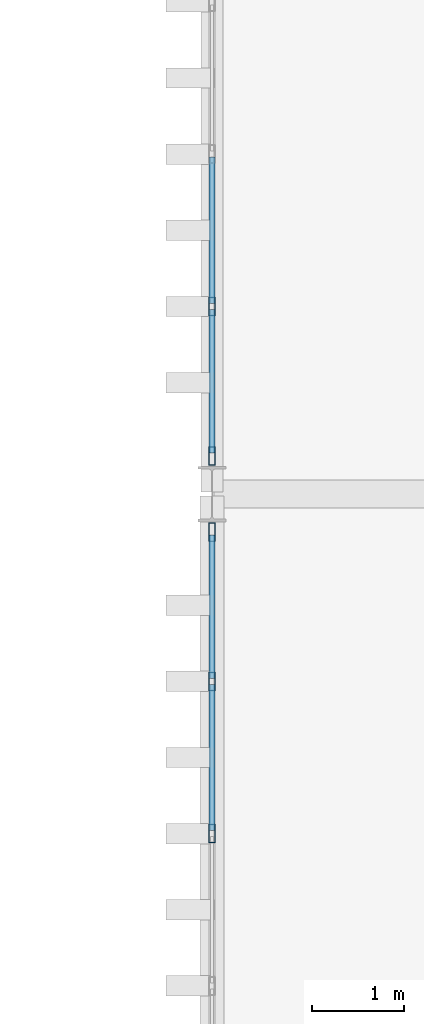
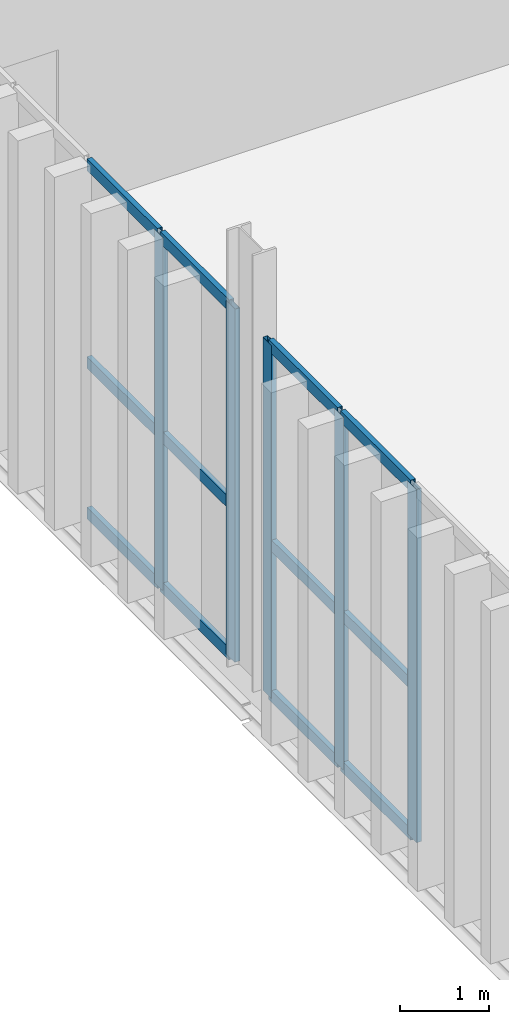
# One storey, part 84 of 237: 17 members, 2 elements without a shape of their own.
"""IFC4 building model written with IfcOpenShell, lengths in metres."""

from ifc_helpers import new_model, si_unit, direction, frame, origin, origin_2d, place, context, subcontext, project, spatial, hollow_rectangle, extrude, material, layer, layer_set, material_profile, profile_set, type_object, element, aggregate, save


model = new_model("IFC4")

# Units and contexts
model_context = context("Model", 3, precision=1e-05, world=origin(), true_north=direction((0.0, 1.0)))
body_context = subcontext(model_context, "Body", "Model", "MODEL_VIEW")
ifc_project = project(units=[si_unit("LENGTHUNIT", "METRE"), si_unit("AREAUNIT", "SQUARE_METRE"), si_unit("VOLUMEUNIT", "CUBIC_METRE"), si_unit("PLANEANGLEUNIT", "RADIAN"), si_unit("MASSUNIT", "GRAM", prefix="KILO")], contexts=[model_context])

# Site, building, storey
site_placement = place(None, origin())
site = spatial("IfcSite", under=ifc_project, at=site_placement, CompositionType="ELEMENT")
building_placement = place(site_placement, origin())
building = spatial("IfcBuilding", under=site, at=building_placement, Name="Barlavento Convention Centre", CompositionType="ELEMENT")
storey_placement = place(building_placement, frame((0.0, 0.0, 12.0)))
storey = spatial("IfcBuildingStorey", under=building, at=storey_placement, Name="L02", CompositionType="ELEMENT", Elevation=12.0)

# Curtain wall, members
ifc_material_1 = material(Name="Powder-coated aluminium and Low-E glass", Category="aluminium")
ifc_layer = layer(ifc_material_1, 0.195068359375)
ifc_layer_set = layer_set([ifc_layer], Name="ARC-CW-BALL-L02")
curtain_wall_type = type_object("IfcCurtainWallType", Name="ARC-CW-BALL-L02", PredefinedType="NOTDEFINED", material=ifc_layer_set)
curtain_wall_1_placement = place(storey_placement, origin())
curtain_wall_1 = element("IfcCurtainWall", 1, at=curtain_wall_1_placement, inside=storey, type_object=curtain_wall_type, Name="L02 unitised curtain wall CW07", PredefinedType="NOTDEFINED")
ifc_material_2 = material(Name="Powder-coated aluminium", Category="aluminium")
ifc_material_profile_1 = material_profile(ifc_material_2, hollow_rectangle(XDim=0.06494140625, YDim=0.199951171875, WallThickness=0.0048828125, at=origin_2d()), Name="AL-MULL 65x200x5")
ifc_profile_set_1 = profile_set([ifc_material_profile_1], Name="Powder-coated aluminium")
member_type_1 = type_object("IfcMemberType", Name="ARC-CWM-65X200", PredefinedType="MULLION", material=ifc_profile_set_1)
member_1_placement = place(storey_placement, frame((126.0, 32.327880859375, 0.0), z_axis=(0.0, 0.0, 1.0), x_axis=(-1.0, 0.0, 0.0)))
member_1 = element("IfcMember", 2, at=member_1_placement, type_object=member_type_1, Name="CW07 mullion 4", PredefinedType="MULLION", context=body_context, shape_type="SweptSolid", body=[
    extrude(hollow_rectangle(XDim=0.06494140625, YDim=0.199951171875, WallThickness=0.0048828125, at=origin_2d()), origin(), (0.0, 0.0, 1.0), 4.85009765625),
])
member_2_placement = place(storey_placement, frame((126.0, 33.97412109375, 0.0), z_axis=(0.0, 0.0, 1.0), x_axis=(-1.0, 0.0, 0.0)))
member_2 = element("IfcMember", 3, at=member_2_placement, type_object=member_type_1, Name="CW07 mullion 5", PredefinedType="MULLION", context=body_context, shape_type="SweptSolid", body=[
    extrude(hollow_rectangle(XDim=0.06494140625, YDim=0.199951171875, WallThickness=0.0048828125, at=origin_2d()), origin(), (0.0, 0.0, 1.0), 4.85009765625),
])
member_3_placement = place(storey_placement, frame((126.0, 35.58740234375, 0.0), z_axis=(0.0, 0.0, 1.0), x_axis=(-1.0, 0.0, 0.0)))
member_3 = element("IfcMember", 4, at=member_3_placement, type_object=member_type_1, Name="CW07 mullion 6", PredefinedType="MULLION", context=body_context, shape_type="SweptSolid", body=[
    extrude(hollow_rectangle(XDim=0.06494140625, YDim=0.199951171875, WallThickness=0.0048828125, at=origin_2d()), origin(), (0.0, 0.0, 1.0), 4.85009765625),
])

curtain_wall_2_placement = place(storey_placement, origin())
curtain_wall_2 = element("IfcCurtainWall", 5, at=curtain_wall_2_placement, inside=storey, type_object=curtain_wall_type, Name="L02 unitised curtain wall CW07", PredefinedType="NOTDEFINED")
member_4_placement = place(storey_placement, frame((126.0, 36.41259765625, 0.0), z_axis=(0.0, 0.0, 1.0), x_axis=(-1.0, 0.0, 0.0)))
member_4 = element("IfcMember", 6, at=member_4_placement, type_object=member_type_1, Name="CW07 mullion 1", PredefinedType="MULLION", context=body_context, shape_type="SweptSolid", body=[
    extrude(hollow_rectangle(XDim=0.06494140625, YDim=0.199951171875, WallThickness=0.0048828125, at=origin_2d()), origin(), (0.0, 0.0, 1.0), 4.85009765625),
])
member_5_placement = place(storey_placement, frame((126.0, 38.028076171875, 0.0), z_axis=(0.0, 0.0, 1.0), x_axis=(-1.0, 0.0, 0.0)))
member_5 = element("IfcMember", 7, at=member_5_placement, type_object=member_type_1, Name="CW07 mullion 2", PredefinedType="MULLION", context=body_context, shape_type="SweptSolid", body=[
    extrude(hollow_rectangle(XDim=0.06494140625, YDim=0.199951171875, WallThickness=0.0048828125, at=origin_2d()), origin(), (0.0, 0.0, 1.0), 4.85009765625),
])

# Member
ifc_material_profile_2 = material_profile(ifc_material_2, hollow_rectangle(XDim=0.06494140625, YDim=0.159912109375, WallThickness=0.0048828125, at=origin_2d()), Name="AL-TRAN 65x160x5")
ifc_profile_set_2 = profile_set([ifc_material_profile_2], Name="Powder-coated aluminium")
member_type_2 = type_object("IfcMemberType", Name="ARC-CWT-65X160", PredefinedType="USERDEFINED", material=ifc_profile_set_2)
member_6_placement = place(storey_placement, frame((126.0, 32.360595703125, 0.032470703125), z_axis=(0.0, 1.0, 0.0), x_axis=(-1.0, 0.0, 0.0)))
member_6 = element("IfcMember", 8, at=member_6_placement, type_object=member_type_2, Name="CW07 transom 4.1", ObjectType="TRANSOM", PredefinedType="USERDEFINED", context=body_context, shape_type="SweptSolid", body=[
    extrude(hollow_rectangle(XDim=0.06494140625, YDim=0.159912109375, WallThickness=0.0048828125, at=origin_2d()), origin(), (0.0, 0.0, 1.0), 1.580810546875),
])

member_7_placement = place(storey_placement, frame((126.0, 32.360595703125, 2.10009765625), z_axis=(0.0, 1.0, 0.0), x_axis=(-1.0, 0.0, 0.0)))
member_7 = element("IfcMember", 9, at=member_7_placement, type_object=member_type_2, Name="CW07 transom 4.2", ObjectType="TRANSOM", PredefinedType="USERDEFINED", context=body_context, shape_type="SweptSolid", body=[
    extrude(hollow_rectangle(XDim=0.06494140625, YDim=0.159912109375, WallThickness=0.0048828125, at=origin_2d()), origin(), (0.0, 0.0, 1.0), 1.580810546875),
])

member_8_placement = place(storey_placement, frame((126.0, 32.360595703125, 4.8173828125), z_axis=(0.0, 1.0, 0.0), x_axis=(-1.0, 0.0, 0.0)))
member_8 = element("IfcMember", 10, at=member_8_placement, type_object=member_type_2, Name="CW07 transom 4.3", ObjectType="TRANSOM", PredefinedType="USERDEFINED", context=body_context, shape_type="SweptSolid", body=[
    extrude(hollow_rectangle(XDim=0.06494140625, YDim=0.159912109375, WallThickness=0.0048828125, at=origin_2d()), origin(), (0.0, 0.0, 1.0), 1.580810546875),
])

member_9_placement = place(storey_placement, frame((126.0, 34.006591796875, 0.032470703125), z_axis=(0.0, 1.0, 0.0), x_axis=(-1.0, 0.0, 0.0)))
member_9 = element("IfcMember", 11, at=member_9_placement, type_object=member_type_2, Name="CW07 transom 5.1", ObjectType="TRANSOM", PredefinedType="USERDEFINED", context=body_context, shape_type="SweptSolid", body=[
    extrude(hollow_rectangle(XDim=0.06494140625, YDim=0.159912109375, WallThickness=0.0048828125, at=origin_2d()), origin(), (0.0, 0.0, 1.0), 1.54833984375),
])

member_10_placement = place(storey_placement, frame((126.0, 34.006591796875, 2.10009765625), z_axis=(0.0, 1.0, 0.0), x_axis=(-1.0, 0.0, 0.0)))
member_10 = element("IfcMember", 12, at=member_10_placement, type_object=member_type_2, Name="CW07 transom 5.2", ObjectType="TRANSOM", PredefinedType="USERDEFINED", context=body_context, shape_type="SweptSolid", body=[
    extrude(hollow_rectangle(XDim=0.06494140625, YDim=0.159912109375, WallThickness=0.0048828125, at=origin_2d()), origin(), (0.0, 0.0, 1.0), 1.54833984375),
])

member_11_placement = place(storey_placement, frame((126.0, 34.006591796875, 4.8173828125), z_axis=(0.0, 1.0, 0.0), x_axis=(-1.0, 0.0, 0.0)))
member_11 = element("IfcMember", 13, at=member_11_placement, type_object=member_type_2, Name="CW07 transom 5.3", ObjectType="TRANSOM", PredefinedType="USERDEFINED", context=body_context, shape_type="SweptSolid", body=[
    extrude(hollow_rectangle(XDim=0.06494140625, YDim=0.159912109375, WallThickness=0.0048828125, at=origin_2d()), origin(), (0.0, 0.0, 1.0), 1.54833984375),
])

aggregate(curtain_wall_1, [member_1, member_2, member_3, member_6, member_7, member_8, member_9, member_10, member_11])

member_12_placement = place(storey_placement, frame((126.0, 36.445068359375, 0.032470703125), z_axis=(0.0, 1.0, 0.0), x_axis=(-1.0, 0.0, 0.0)))
member_12 = element("IfcMember", 14, at=member_12_placement, type_object=member_type_2, Name="CW07 transom 1.1", ObjectType="TRANSOM", PredefinedType="USERDEFINED", context=body_context, shape_type="SweptSolid", body=[
    extrude(hollow_rectangle(XDim=0.06494140625, YDim=0.159912109375, WallThickness=0.0048828125, at=origin_2d()), origin(), (0.0, 0.0, 1.0), 1.550537109375),
])

member_13_placement = place(storey_placement, frame((126.0, 36.445068359375, 2.10009765625), z_axis=(0.0, 1.0, 0.0), x_axis=(-1.0, 0.0, 0.0)))
member_13 = element("IfcMember", 15, at=member_13_placement, type_object=member_type_2, Name="CW07 transom 1.2", ObjectType="TRANSOM", PredefinedType="USERDEFINED", context=body_context, shape_type="SweptSolid", body=[
    extrude(hollow_rectangle(XDim=0.06494140625, YDim=0.159912109375, WallThickness=0.0048828125, at=origin_2d()), origin(), (0.0, 0.0, 1.0), 1.550537109375),
])

member_14_placement = place(storey_placement, frame((126.0, 36.445068359375, 4.8173828125), z_axis=(0.0, 1.0, 0.0), x_axis=(-1.0, 0.0, 0.0)))
member_14 = element("IfcMember", 16, at=member_14_placement, type_object=member_type_2, Name="CW07 transom 1.3", ObjectType="TRANSOM", PredefinedType="USERDEFINED", context=body_context, shape_type="SweptSolid", body=[
    extrude(hollow_rectangle(XDim=0.06494140625, YDim=0.159912109375, WallThickness=0.0048828125, at=origin_2d()), origin(), (0.0, 0.0, 1.0), 1.550537109375),
])

member_15_placement = place(storey_placement, frame((126.0, 38.060546875, 0.032470703125), z_axis=(0.0, 1.0, 0.0), x_axis=(-1.0, 0.0, 0.0)))
member_15 = element("IfcMember", 17, at=member_15_placement, type_object=member_type_2, Name="CW07 transom 2.1", ObjectType="TRANSOM", PredefinedType="USERDEFINED", context=body_context, shape_type="SweptSolid", body=[
    extrude(hollow_rectangle(XDim=0.06494140625, YDim=0.159912109375, WallThickness=0.0048828125, at=origin_2d()), origin(), (0.0, 0.0, 1.0), 1.5830078125),
])

member_16_placement = place(storey_placement, frame((126.0, 38.060546875, 2.10009765625), z_axis=(0.0, 1.0, 0.0), x_axis=(-1.0, 0.0, 0.0)))
member_16 = element("IfcMember", 18, at=member_16_placement, type_object=member_type_2, Name="CW07 transom 2.2", ObjectType="TRANSOM", PredefinedType="USERDEFINED", context=body_context, shape_type="SweptSolid", body=[
    extrude(hollow_rectangle(XDim=0.06494140625, YDim=0.159912109375, WallThickness=0.0048828125, at=origin_2d()), origin(), (0.0, 0.0, 1.0), 1.5830078125),
])

member_17_placement = place(storey_placement, frame((126.0, 38.060546875, 4.8173828125), z_axis=(0.0, 1.0, 0.0), x_axis=(-1.0, 0.0, 0.0)))
member_17 = element("IfcMember", 19, at=member_17_placement, type_object=member_type_2, Name="CW07 transom 2.3", ObjectType="TRANSOM", PredefinedType="USERDEFINED", context=body_context, shape_type="SweptSolid", body=[
    extrude(hollow_rectangle(XDim=0.06494140625, YDim=0.159912109375, WallThickness=0.0048828125, at=origin_2d()), origin(), (0.0, 0.0, 1.0), 1.5830078125),
])

aggregate(curtain_wall_2, [member_4, member_5, member_12, member_13, member_14, member_15, member_16, member_17])

save(model, "model.ifc")
